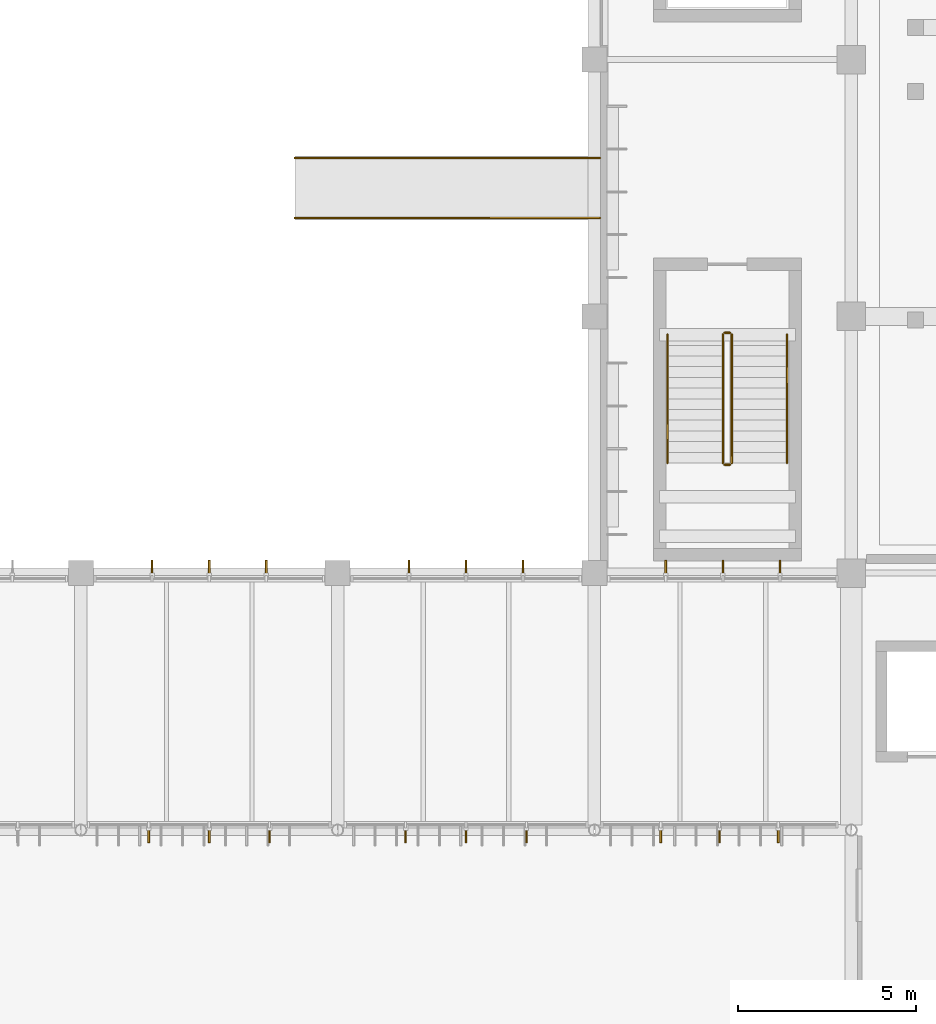
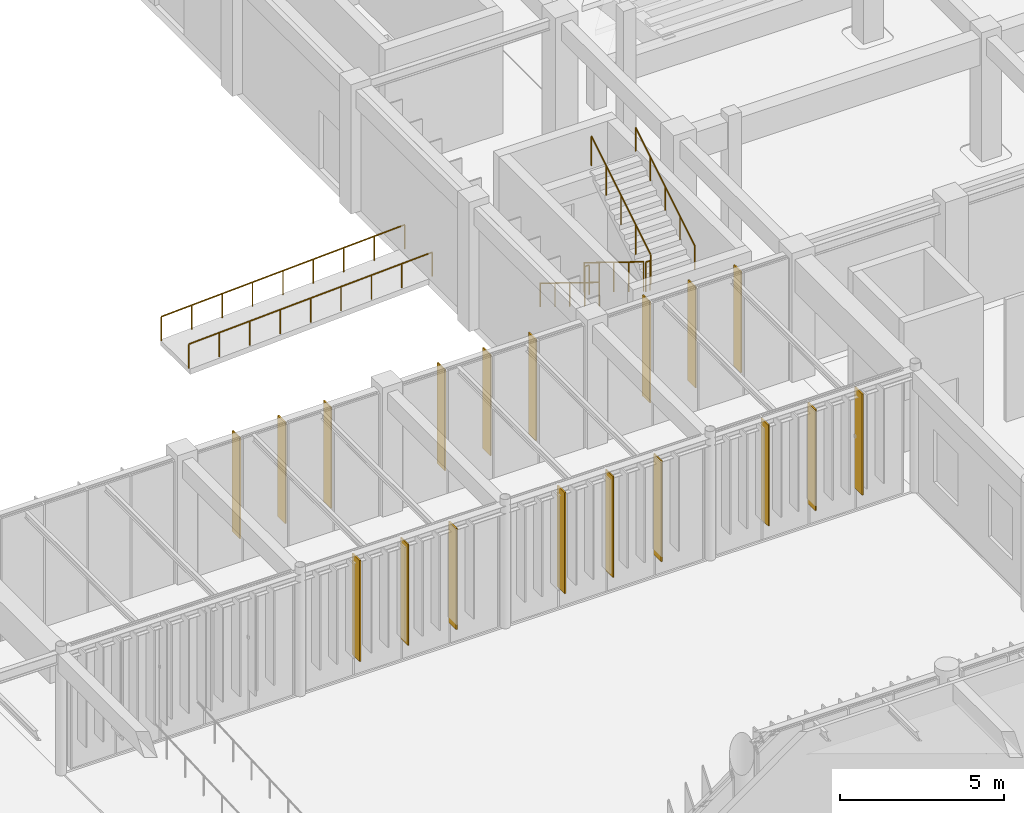
# One storey, part 108 of 122: 18 shading devices, 8 railings.
"""IFC4 building model written with IfcOpenShell, lengths in metres."""

from ifc_helpers import new_model, si_unit, direction, frame, origin, origin_2d, place, context, subcontext, project, spatial, rectangle, circle, extrude, material, layer, layer_set, material_profile, profile_set, type_object, element, save


model = new_model("IFC4")

# Units and contexts
model_context = context("Model", 3, precision=1e-05, world=origin(), true_north=direction((0.0, 1.0)))
body_context = subcontext(model_context, "Body", "Model", "MODEL_VIEW")
ifc_project = project(units=[si_unit("LENGTHUNIT", "METRE"), si_unit("AREAUNIT", "SQUARE_METRE"), si_unit("VOLUMEUNIT", "CUBIC_METRE"), si_unit("PLANEANGLEUNIT", "RADIAN"), si_unit("MASSUNIT", "GRAM", prefix="KILO")], contexts=[model_context])

# Site, building, storey
site_placement = place(None, origin())
site = spatial("IfcSite", under=ifc_project, at=site_placement, CompositionType="ELEMENT")
building_placement = place(site_placement, origin())
building = spatial("IfcBuilding", under=site, at=building_placement, Name="Tazoul Stagehouse", CompositionType="ELEMENT")
storey_placement = place(building_placement, origin())
storey = spatial("IfcBuildingStorey", under=building, at=storey_placement, Name="L00", CompositionType="ELEMENT", Elevation=0.0)

# Shading devices
ifc_material_1 = material(Name="Anodised Bronze Aluminium 6063-T6", Category="aluminium")
ifc_layer_1 = layer(ifc_material_1, 0.050048828125, Name="Anodised Bronze Aluminium 6063-T6")
ifc_layer_set_1 = layer_set([ifc_layer_1], Name="Anodised Bronze Aluminium 6063-T6")
shading_device_type_1 = type_object("IfcShadingDeviceType", Name="Angled Acoustic Sun-Screen Blade 460", PredefinedType="USERDEFINED", material=ifc_layer_set_1)
for number, where, z_axis, x_axis, name in (
    (1, (37.906005859375, 44.469970703125, 0.75), (0.0, 0.0, 1.0), (1.0, 0.0, 0.0), "Shading Louvre FIN-02 CW-WLNK-S-L00-B2-SHD01"),
    (2, (41.294189453125, 44.469970703125, 0.75), (0.0, 0.0, 1.0), (1.0, 0.0, 0.0), "Shading Louvre FIN-02 CW-WLNK-S-L00-B2-SHD03"),
    (3, (45.10595703125, 44.469970703125, 0.75), (0.0, 0.0, 1.0), (1.0, 0.0, 0.0), "Shading Louvre FIN-02 CW-WLNK-S-L00-B3-SHD01"),
    (4, (48.493896484375, 44.469970703125, 0.75), (0.0, 0.0, 1.0), (1.0, 0.0, 0.0), "Shading Louvre FIN-02 CW-WLNK-S-L00-B3-SHD03"),
    (5, (52.259033203125, 44.469970703125, 0.75), (0.0, 0.0, 1.0), (1.0, 0.0, 0.0), "Shading Louvre FIN-02 CW-WLNK-S-L00-B4-SHD01"),
    (6, (55.552978515625, 44.469970703125, 0.75), (0.0, 0.0, 1.0), (1.0, 0.0, 0.0), "Shading Louvre FIN-02 CW-WLNK-S-L00-B4-SHD03"),
    (7, (38.0, 51.929931640625, 0.75), (0.0, 0.0, 1.0), (1.0, 0.0, 0.0), "Shading Louvre FIN-02 CW-WLNK-N-L00-B2-SHD01"),
    (8, (41.199951171875, 51.929931640625, 0.75), (0.0, 0.0, 1.0), (1.0, 0.0, 0.0), "Shading Louvre FIN-02 CW-WLNK-N-L00-B2-SHD03"),
    (9, (45.199951171875, 51.929931640625, 0.75), (0.0, 0.0, 1.0), (1.0, 0.0, 0.0), "Shading Louvre FIN-02 CW-WLNK-N-L00-B3-SHD01"),
    (10, (48.39990234375, 51.929931640625, 0.75), (0.0, 0.0, 1.0), (1.0, 0.0, 0.0), "Shading Louvre FIN-02 CW-WLNK-N-L00-B3-SHD03"),
    (11, (52.39990234375, 51.929931640625, 0.75), (0.0, 0.0, 1.0), (1.0, 0.0, 0.0), "Shading Louvre FIN-02 CW-WLNK-N-L00-B4-SHD01"),
    (12, (55.60009765625, 51.929931640625, 0.75), (0.0, 0.0, 1.0), (1.0, 0.0, 0.0), "Shading Louvre FIN-02 CW-WLNK-N-L00-B4-SHD03"),
):
    element("IfcShadingDevice", number, at=place(storey_placement, frame(where, z_axis=z_axis, x_axis=x_axis)), inside=storey, type_object=shading_device_type_1, Name=name, ObjectType="FIN", PredefinedType="USERDEFINED", context=body_context, shape_type="SweptSolid", body=[
        extrude(rectangle(XDim=0.044921875, YDim=0.4599609375, at=origin_2d()), origin(), (0.0, 0.0, 1.0), 3.75),
    ])

# Railings
ifc_material_2 = material(Name="Brushed Stainless Steel 316L", Category="steel")
ifc_material_profile_1 = material_profile(ifc_material_2, circle(Radius=0.02392578125, at=origin_2d()), Name="SS RAIL D48")
ifc_profile_set_1 = profile_set([ifc_material_profile_1], Name="Brushed Stainless Steel 316L")
railing_type_1 = type_object("IfcRailingType", Name="Architectural Guardrail H1120", PredefinedType="GUARDRAIL", material=ifc_profile_set_1)
railing_1_placement = place(storey_placement, frame((54.0, 58.489990234375, 0.1845703125)))
element("IfcRailing", 13, at=railing_1_placement, inside=storey, type_object=railing_type_1, Name="L00 ST-05 stair guard 1", PredefinedType="GUARDRAIL", context=body_context, shape_type="SweptSolid", body=[
    extrude(circle(Radius=0.02392578125, at=origin_2d()), frame((0.0, 0.0, 1.09619140625), z_axis=(0.0, -0.85167021472, 0.524078090897), x_axis=(1.0, 0.0, 0.0)), (0.0, 0.0, 1.0), 4.22705078125),
    extrude(circle(Radius=0.02099609375, at=origin_2d()), origin(), (0.0, 0.0, 1.0), 1.072021484375),
    extrude(circle(Radius=0.02099609375, at=origin_2d()), frame((0.0, -0.89990234375, 0.5537109375)), (0.0, 0.0, 1.0), 1.072021484375),
    extrude(circle(Radius=0.02099609375, at=origin_2d()), frame((0.0, -1.800048828125, 1.107666015625)), (0.0, 0.0, 1.0), 1.072021484375),
    extrude(circle(Radius=0.02099609375, at=origin_2d()), frame((0.0, -2.7001953125, 1.66162109375)), (0.0, 0.0, 1.0), 1.072021484375),
    extrude(circle(Radius=0.02099609375, at=origin_2d()), frame((0.0, -3.60009765625, 2.21533203125)), (0.0, 0.0, 1.0), 1.072021484375),
])
railing_2_placement = place(storey_placement, frame((54.050048828125, 54.840087890625, 2.39990234375)))
element("IfcRailing", 14, at=railing_2_placement, inside=storey, type_object=railing_type_1, Name="L00 ST-05 stair guard 2", PredefinedType="GUARDRAIL", context=body_context, shape_type="SweptSolid", body=[
    extrude(circle(Radius=0.02392578125, at=origin_2d()), frame((0.0, 0.0, 1.09619140625), z_axis=(1.0, 0.0, 0.0), x_axis=(0.0, 1.0, 0.0)), (0.0, 0.0, 1.0), 0.14990234375),
    extrude(circle(Radius=0.02099609375, at=origin_2d()), origin(), (0.0, 0.0, 1.0), 1.072021484375),
    extrude(circle(Radius=0.02099609375, at=origin_2d()), frame((0.14990234375, 0.0, 0.0)), (0.0, 0.0, 1.0), 1.072021484375),
])
railing_3_placement = place(storey_placement, frame((54.25, 54.889892578125, 2.584716796875)))
element("IfcRailing", 15, at=railing_3_placement, inside=storey, type_object=railing_type_1, Name="L00 ST-05 stair guard 3", PredefinedType="GUARDRAIL", context=body_context, shape_type="SweptSolid", body=[
    extrude(circle(Radius=0.02392578125, at=origin_2d()), frame((0.0, 0.0, 1.09619140625), z_axis=(0.0, 0.85167021472, 0.524078090897), x_axis=(-1.0, 0.0, 0.0)), (0.0, 0.0, 1.0), 4.22705078125),
    extrude(circle(Radius=0.02099609375, at=origin_2d()), origin(), (0.0, 0.0, 1.0), 1.072021484375),
    extrude(circle(Radius=0.02099609375, at=origin_2d()), frame((0.0, 0.89990234375, 0.5537109375)), (0.0, 0.0, 1.0), 1.072021484375),
    extrude(circle(Radius=0.02099609375, at=origin_2d()), frame((0.0, 1.800048828125, 1.107666015625)), (0.0, 0.0, 1.0), 1.072021484375),
    extrude(circle(Radius=0.02099609375, at=origin_2d()), frame((0.0, 2.7001953125, 1.66162109375)), (0.0, 0.0, 1.0), 1.072021484375),
    extrude(circle(Radius=0.02099609375, at=origin_2d()), frame((0.0, 3.60009765625, 2.21533203125)), (0.0, 0.0, 1.0), 1.072021484375),
])
railing_4_placement = place(storey_placement, frame((54.050048828125, 58.5400390625, 0.0)))
element("IfcRailing", 16, at=railing_4_placement, inside=storey, type_object=railing_type_1, Name="L00 ST-05 stair guard 4", PredefinedType="GUARDRAIL", context=body_context, shape_type="SweptSolid", body=[
    extrude(circle(Radius=0.02392578125, at=origin_2d()), frame((0.0, 0.0, 1.09619140625), z_axis=(1.0, 0.0, 0.0), x_axis=(0.0, 1.0, 0.0)), (0.0, 0.0, 1.0), 0.14990234375),
    extrude(circle(Radius=0.02099609375, at=origin_2d()), origin(), (0.0, 0.0, 1.0), 1.072021484375),
    extrude(circle(Radius=0.02099609375, at=origin_2d()), frame((0.14990234375, 0.0, 0.0)), (0.0, 0.0, 1.0), 1.072021484375),
])
ifc_material_profile_2 = material_profile(ifc_material_2, circle(Radius=0.02099609375, at=origin_2d()), Name="SS HANDRAIL D42")
ifc_profile_set_2 = profile_set([ifc_material_profile_2], Name="Brushed Stainless Steel 316L")
railing_type_2 = type_object("IfcRailingType", Name="Continuous Stair Handrail H900", PredefinedType="HANDRAIL", material=ifc_profile_set_2)
railing_5_placement = place(storey_placement, frame((52.449951171875, 58.489990234375, 0.1845703125)))
element("IfcRailing", 17, at=railing_5_placement, inside=storey, type_object=railing_type_2, Name="L00 ST-05 stair handrail 1", PredefinedType="HANDRAIL", context=body_context, shape_type="SweptSolid", body=[
    extrude(circle(Radius=0.02392578125, at=origin_2d()), frame((0.0, 0.0, 0.8759765625), z_axis=(0.0, -0.85167021472, 0.524078090897), x_axis=(1.0, 0.0, 0.0)), (0.0, 0.0, 1.0), 4.22705078125),
    extrude(circle(Radius=0.02099609375, at=origin_2d()), origin(), (0.0, 0.0, 1.0), 0.851806640625),
    extrude(circle(Radius=0.02099609375, at=origin_2d()), frame((0.0, -0.89990234375, 0.5537109375)), (0.0, 0.0, 1.0), 0.851806640625),
    extrude(circle(Radius=0.02099609375, at=origin_2d()), frame((0.0, -1.800048828125, 1.107666015625)), (0.0, 0.0, 1.0), 0.851806640625),
    extrude(circle(Radius=0.02099609375, at=origin_2d()), frame((0.0, -2.7001953125, 1.66162109375)), (0.0, 0.0, 1.0), 0.851806640625),
    extrude(circle(Radius=0.02099609375, at=origin_2d()), frame((0.0, -3.60009765625, 2.21533203125)), (0.0, 0.0, 1.0), 0.851806640625),
])
railing_6_placement = place(storey_placement, frame((55.800048828125, 54.889892578125, 2.584716796875)))
element("IfcRailing", 18, at=railing_6_placement, inside=storey, type_object=railing_type_2, Name="L00 ST-05 stair handrail 2", PredefinedType="HANDRAIL", context=body_context, shape_type="SweptSolid", body=[
    extrude(circle(Radius=0.02392578125, at=origin_2d()), frame((0.0, 0.0, 0.8759765625), z_axis=(0.0, 0.85167021472, 0.524078090897), x_axis=(-1.0, 0.0, 0.0)), (0.0, 0.0, 1.0), 4.22705078125),
    extrude(circle(Radius=0.02099609375, at=origin_2d()), origin(), (0.0, 0.0, 1.0), 0.851806640625),
    extrude(circle(Radius=0.02099609375, at=origin_2d()), frame((0.0, 0.89990234375, 0.5537109375)), (0.0, 0.0, 1.0), 0.851806640625),
    extrude(circle(Radius=0.02099609375, at=origin_2d()), frame((0.0, 1.800048828125, 1.107666015625)), (0.0, 0.0, 1.0), 0.851806640625),
    extrude(circle(Radius=0.02099609375, at=origin_2d()), frame((0.0, 2.7001953125, 1.66162109375)), (0.0, 0.0, 1.0), 0.851806640625),
    extrude(circle(Radius=0.02099609375, at=origin_2d()), frame((0.0, 3.60009765625, 2.21533203125)), (0.0, 0.0, 1.0), 0.851806640625),
])
ifc_material_profile_3 = material_profile(ifc_material_2, circle(Radius=0.02099609375, at=origin_2d()), Name="SS HANDRAIL D42")
ifc_profile_set_3 = profile_set([ifc_material_profile_3], Name="Brushed Stainless Steel 316L")
railing_type_3 = type_object("IfcRailingType", Name="Exterior Ramp Handrail H920", PredefinedType="HANDRAIL", material=ifc_profile_set_3)
for number, where, name in (
    (19, (42.0, 63.43994140625, -0.419921875), "West Court Auditorium Accessible Ramp Handrail L"),
    (20, (42.0, 61.760009765625, -0.419921875), "West Court Auditorium Accessible Ramp Handrail R"),
):
    element("IfcRailing", number, at=place(storey_placement, frame(where)), inside=storey, type_object=railing_type_3, Name=name, PredefinedType="HANDRAIL", context=body_context, shape_type="SweptSolid", body=[
        extrude(circle(Radius=0.02392578125, at=origin_2d()), frame((0.0, 0.0, 0.89599609375), z_axis=(0.998796115009, 0.0, 0.049054262237), x_axis=(0.0, 1.0, 0.0)), (0.0, 0.0, 1.0), 8.560302734375),
        extrude(circle(Radius=0.02099609375, at=origin_2d()), origin(), (0.0, 0.0, 1.0), 0.871826171875),
        extrude(circle(Radius=0.02099609375, at=origin_2d()), frame((1.06884765625, 0.0, 0.052490234375)), (0.0, 0.0, 1.0), 0.871826171875),
        extrude(circle(Radius=0.02099609375, at=origin_2d()), frame((2.137451171875, 0.0, 0.10498046875)), (0.0, 0.0, 1.0), 0.871826171875),
        extrude(circle(Radius=0.02099609375, at=origin_2d()), frame((3.206298828125, 0.0, 0.157470703125)), (0.0, 0.0, 1.0), 0.871826171875),
        extrude(circle(Radius=0.02099609375, at=origin_2d()), frame((4.27490234375, 0.0, 0.2099609375)), (0.0, 0.0, 1.0), 0.871826171875),
        extrude(circle(Radius=0.02099609375, at=origin_2d()), frame((5.34375, 0.0, 0.262451171875)), (0.0, 0.0, 1.0), 0.871826171875),
        extrude(circle(Radius=0.02099609375, at=origin_2d()), frame((6.41259765625, 0.0, 0.31494140625)), (0.0, 0.0, 1.0), 0.871826171875),
        extrude(circle(Radius=0.02099609375, at=origin_2d()), frame((7.481201171875, 0.0, 0.367431640625)), (0.0, 0.0, 1.0), 0.871826171875),
        extrude(circle(Radius=0.02099609375, at=origin_2d()), frame((8.550048828125, 0.0, 0.419921875)), (0.0, 0.0, 1.0), 0.871826171875),
    ])

# Shading devices
ifc_layer_2 = layer(ifc_material_1, 0.044921875, Name="Anodised Bronze Aluminium 6063-T6")
ifc_layer_set_2 = layer_set([ifc_layer_2], Name="Anodised Bronze Aluminium 6063-T6")
shading_device_type_2 = type_object("IfcShadingDeviceType", Name="Vertical Extruded Terracotta-Bronze Louvre 460", PredefinedType="JALOUSIE", material=ifc_layer_set_2)
for number, where, z_axis, x_axis, name in (
    (21, (39.60009765625, 44.469970703125, 0.75), (0.0, 0.0, 1.0), (1.0, 0.0, 0.0), "Shading Louvre FIN-01 CW-WLNK-S-L00-B2-SHD02"),
    (22, (46.800048828125, 44.469970703125, 0.75), (0.0, 0.0, 1.0), (1.0, 0.0, 0.0), "Shading Louvre FIN-01 CW-WLNK-S-L00-B3-SHD02"),
    (23, (53.906005859375, 44.469970703125, 0.75), (0.0, 0.0, 1.0), (1.0, 0.0, 0.0), "Shading Louvre FIN-01 CW-WLNK-S-L00-B4-SHD02"),
    (24, (39.60009765625, 51.929931640625, 0.75), (0.0, 0.0, 1.0), (1.0, 0.0, 0.0), "Shading Louvre FIN-01 CW-WLNK-N-L00-B2-SHD02"),
    (25, (46.800048828125, 51.929931640625, 0.75), (0.0, 0.0, 1.0), (1.0, 0.0, 0.0), "Shading Louvre FIN-01 CW-WLNK-N-L00-B3-SHD02"),
    (26, (54.0, 51.929931640625, 0.75), (0.0, 0.0, 1.0), (1.0, 0.0, 0.0), "Shading Louvre FIN-01 CW-WLNK-N-L00-B4-SHD02"),
):
    element("IfcShadingDevice", number, at=place(storey_placement, frame(where, z_axis=z_axis, x_axis=x_axis)), inside=storey, type_object=shading_device_type_2, Name=name, PredefinedType="JALOUSIE", context=body_context, shape_type="SweptSolid", body=[
        extrude(rectangle(XDim=0.044921875, YDim=0.4599609375, at=origin_2d()), origin(), (0.0, 0.0, 1.0), 3.75),
    ])

save(model, "model.ifc")
